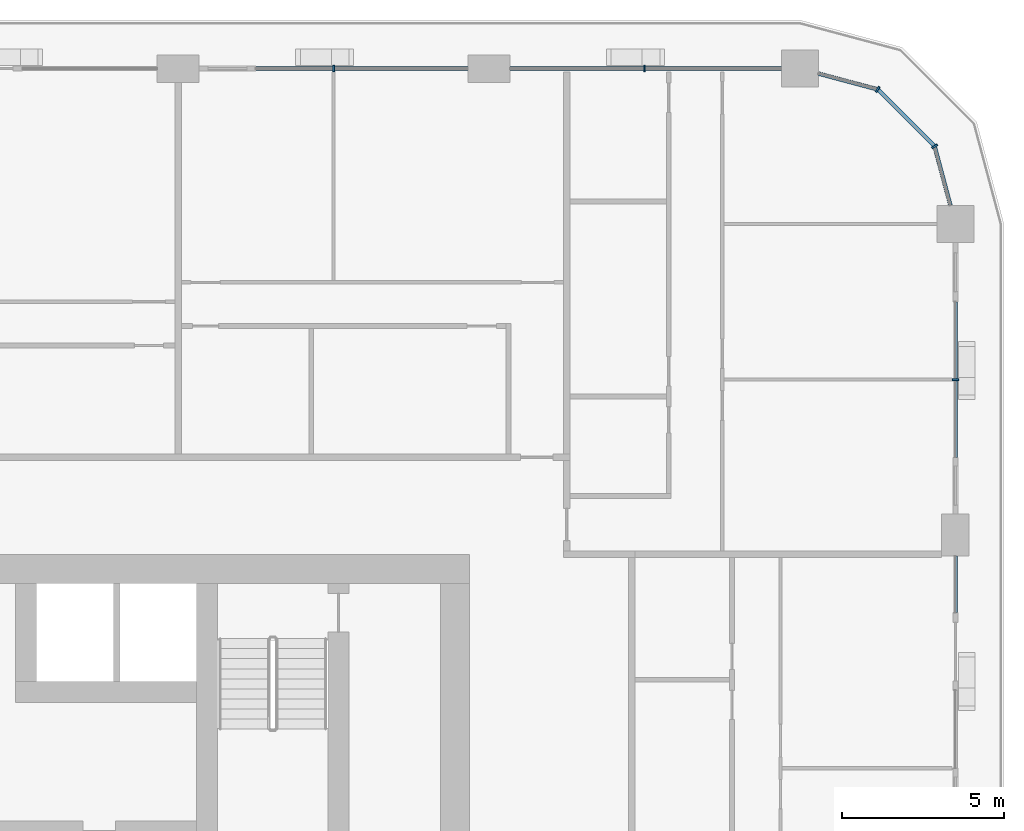
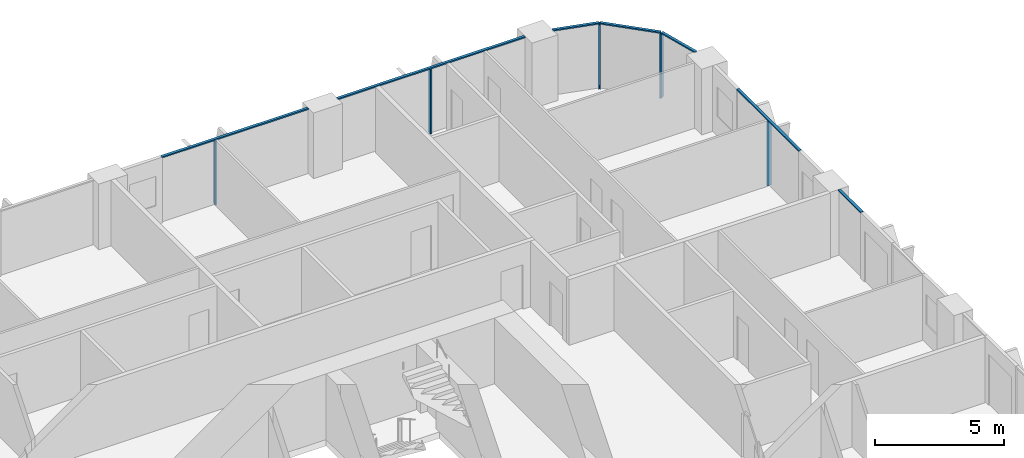
# One storey, part 6 of 21: 12 members, 5 elements without a shape of their own.
"""IFC4 building model written with IfcOpenShell, lengths in metres."""

from ifc_helpers import new_model, si_unit, direction, frame, origin, origin_2d, place, context, subcontext, project, spatial, rectangle, extrude, material, layer, layer_set, material_profile, profile_set, type_object, element, aggregate, save


model = new_model("IFC4")

# Units and contexts
model_context = context("Model", 3, precision=1e-05, world=origin(), true_north=direction((0.0, 1.0)))
body_context = subcontext(model_context, "Body", "Model", "MODEL_VIEW")
ifc_project = project(units=[si_unit("LENGTHUNIT", "METRE"), si_unit("AREAUNIT", "SQUARE_METRE"), si_unit("VOLUMEUNIT", "CUBIC_METRE"), si_unit("PLANEANGLEUNIT", "RADIAN"), si_unit("MASSUNIT", "GRAM", prefix="KILO")], contexts=[model_context])

# Site, building, storey
site_placement = place(None, origin())
site = spatial("IfcSite", under=ifc_project, at=site_placement, CompositionType="ELEMENT")
building_placement = place(site_placement, origin())
building = spatial("IfcBuilding", under=site, at=building_placement, Name="Madar Terraces", CompositionType="ELEMENT")
storey_placement = place(building_placement, frame((0.0, 0.0, 110.199951171875)))
storey = spatial("IfcBuildingStorey", under=building, at=storey_placement, Name="L28", CompositionType="ELEMENT", Elevation=110.199951171875)

# Curtain wall, member
ifc_material_1 = material(Name="Glass, ceramic frit dark grey, with black aluminium frame", Category="aluminium")
ifc_layer = layer(ifc_material_1, 0.199951171875)
ifc_layer_set = layer_set([ifc_layer], Name="Facade curtain wall, fritted glass")
curtain_wall_type = type_object("IfcCurtainWallType", Name="Facade curtain wall, fritted glass", PredefinedType="NOTDEFINED", material=ifc_layer_set)
curtain_wall_1_placement = place(storey_placement, origin())
curtain_wall_1 = element("IfcCurtainWall", 1, at=curtain_wall_1_placement, inside=storey, type_object=curtain_wall_type, Name="Outer skin curtain wall east bay 4", PredefinedType="NOTDEFINED")
ifc_material_2 = material(Name="Aluminium, black anodised", Category="aluminium")
ifc_material_profile_1 = material_profile(ifc_material_2, rectangle(XDim=0.199951171875, YDim=0.06005859375, at=origin_2d()), Name="Facade mullion 60x200")
ifc_profile_set_1 = profile_set([ifc_material_profile_1], Name="Aluminium, black anodised")
member_type_1 = type_object("IfcMemberType", Name="Facade mullion 60x200", PredefinedType="MULLION", material=ifc_profile_set_1)
member_1_placement = place(storey_placement, frame((62.39990234375, 43.199951171875, 0.0), z_axis=(0.0, 0.0, 1.0), x_axis=(-1.0, 0.0, 0.0)))
member_1 = element("IfcMember", 2, at=member_1_placement, type_object=member_type_1, Name="Mullion 1", PredefinedType="MULLION", context=body_context, shape_type="SweptSolid", body=[
    extrude(rectangle(XDim=0.199951171875, YDim=0.06005859375, at=origin_2d()), origin(), (0.0, 0.0, 1.0), 3.0400390625),
])

curtain_wall_2_placement = place(storey_placement, origin())
curtain_wall_2 = element("IfcCurtainWall", 3, at=curtain_wall_2_placement, inside=storey, type_object=curtain_wall_type, Name="Outer skin curtain wall north bay 1", PredefinedType="NOTDEFINED")
member_2_placement = place(storey_placement, frame((52.800048828125, 52.800048828125, 0.0), z_axis=(0.0, 0.0, 1.0), x_axis=(0.0, -1.0, 0.0)))
member_2 = element("IfcMember", 4, at=member_2_placement, type_object=member_type_1, Name="Mullion 1", PredefinedType="MULLION", context=body_context, shape_type="SweptSolid", body=[
    extrude(rectangle(XDim=0.199951171875, YDim=0.06005859375, at=origin_2d()), origin(), (0.0, 0.0, 1.0), 3.0400390625),
])

curtain_wall_3_placement = place(storey_placement, origin())
curtain_wall_3 = element("IfcCurtainWall", 5, at=curtain_wall_3_placement, inside=storey, type_object=curtain_wall_type, Name="Outer skin curtain wall north bay 2", PredefinedType="NOTDEFINED")
member_3_placement = place(storey_placement, frame((43.199951171875, 52.800048828125, 0.0), z_axis=(0.0, 0.0, 1.0), x_axis=(0.0, -1.0, 0.0)))
member_3 = element("IfcMember", 6, at=member_3_placement, type_object=member_type_1, Name="Mullion 1", PredefinedType="MULLION", context=body_context, shape_type="SweptSolid", body=[
    extrude(rectangle(XDim=0.199951171875, YDim=0.06005859375, at=origin_2d()), origin(), (0.0, 0.0, 1.0), 3.0400390625),
])

# Curtain wall, members
curtain_wall_4_placement = place(storey_placement, origin())
curtain_wall_4 = element("IfcCurtainWall", 7, at=curtain_wall_4_placement, inside=storey, type_object=curtain_wall_type, Name="Outer skin curtain wall north-east corner", PredefinedType="NOTDEFINED")
member_4_placement = place(storey_placement, frame((61.7568359375, 50.39990234375, 0.0), z_axis=(0.0, 0.0, 1.0), x_axis=(-0.866025409797, -0.499999989586, 0.0)))
member_4 = element("IfcMember", 8, at=member_4_placement, type_object=member_type_1, Name="Mullion 1", PredefinedType="MULLION", context=body_context, shape_type="SweptSolid", body=[
    extrude(rectangle(XDim=0.199951171875, YDim=0.06005859375, at=origin_2d()), origin(), (0.0, 0.0, 1.0), 3.0400390625),
])
member_5_placement = place(storey_placement, frame((60.0, 52.156982421875, 0.0), z_axis=(0.0, 0.0, 1.0), x_axis=(-0.499999989586, -0.866025409797, 0.0)))
member_5 = element("IfcMember", 9, at=member_5_placement, type_object=member_type_1, Name="Mullion 2", PredefinedType="MULLION", context=body_context, shape_type="SweptSolid", body=[
    extrude(rectangle(XDim=0.199951171875, YDim=0.06005859375, at=origin_2d()), origin(), (0.0, 0.0, 1.0), 3.0400390625),
])

# Curtain wall, member
curtain_wall_5_placement = place(storey_placement, origin())
curtain_wall_5 = element("IfcCurtainWall", 10, at=curtain_wall_5_placement, inside=storey, type_object=curtain_wall_type, Name="Outer skin curtain wall east bay 3", PredefinedType="NOTDEFINED")
ifc_material_3 = material(Name="Aluminium, black anodised", Category="aluminium")
ifc_material_profile_2 = material_profile(ifc_material_3, rectangle(XDim=0.1201171875, YDim=0.06005859375, at=origin_2d()), Name="Facade transom 60x120")
ifc_profile_set_2 = profile_set([ifc_material_profile_2], Name="Aluminium, black anodised")
member_type_2 = type_object("IfcMemberType", Name="Facade transom 60x120", PredefinedType="USERDEFINED", material=ifc_profile_set_2)
member_6_placement = place(storey_placement, frame((62.39990234375, 36.0, 3.070068359375), z_axis=(0.0, 1.0, 0.0), x_axis=(-1.0, 0.0, 0.0)))
member_6 = element("IfcMember", 11, at=member_6_placement, type_object=member_type_2, Name="Transom 2", ObjectType="TRANSOM", PredefinedType="USERDEFINED", context=body_context, shape_type="SweptSolid", body=[
    extrude(rectangle(XDim=0.1201171875, YDim=0.06005859375, at=origin_2d()), origin(), (0.0, 0.0, 1.0), 1.75),
])
aggregate(curtain_wall_5, [member_6])

# Member
member_7_placement = place(storey_placement, frame((62.39990234375, 40.800048828125, 3.070068359375), z_axis=(0.0, 1.0, 0.0), x_axis=(-1.0, 0.0, 0.0)))
member_7 = element("IfcMember", 12, at=member_7_placement, type_object=member_type_2, Name="Transom 1", ObjectType="TRANSOM", PredefinedType="USERDEFINED", context=body_context, shape_type="SweptSolid", body=[
    extrude(rectangle(XDim=0.1201171875, YDim=0.06005859375, at=origin_2d()), origin(), (0.0, 0.0, 1.0), 4.800048828125),
])

aggregate(curtain_wall_1, [member_1, member_7])

member_8_placement = place(storey_placement, frame((57.02490234375, 52.800048828125, 3.070068359375), z_axis=(-1.0, 0.0, 0.0), x_axis=(0.0, -1.0, 0.0)))
member_8 = element("IfcMember", 13, at=member_8_placement, type_object=member_type_2, Name="Transom 1", ObjectType="TRANSOM", PredefinedType="USERDEFINED", context=body_context, shape_type="SweptSolid", body=[
    extrude(rectangle(XDim=0.1201171875, YDim=0.06005859375, at=origin_2d()), origin(), (0.0, 0.0, 1.0), 8.375),
])

aggregate(curtain_wall_2, [member_2, member_8])

member_9_placement = place(storey_placement, frame((47.35009765625, 52.800048828125, 3.070068359375), z_axis=(-1.0, 0.0, 0.0), x_axis=(0.0, -1.0, 0.0)))
member_9 = element("IfcMember", 14, at=member_9_placement, type_object=member_type_2, Name="Transom 1", ObjectType="TRANSOM", PredefinedType="USERDEFINED", context=body_context, shape_type="SweptSolid", body=[
    extrude(rectangle(XDim=0.1201171875, YDim=0.06005859375, at=origin_2d()), origin(), (0.0, 0.0, 1.0), 6.550048828125),
])

aggregate(curtain_wall_3, [member_3, member_9])

member_10_placement = place(storey_placement, frame((62.245849609375, 48.574951171875, 3.070068359375), z_axis=(-0.258782024434, 0.965935745187, 0.0), x_axis=(-0.965935745187, -0.258782024434, 0.0)))
member_10 = element("IfcMember", 15, at=member_10_placement, type_object=member_type_2, Name="Transom 1", ObjectType="TRANSOM", PredefinedType="USERDEFINED", context=body_context, shape_type="SweptSolid", body=[
    extrude(rectangle(XDim=0.1201171875, YDim=0.06005859375, at=origin_2d()), origin(), (0.0, 0.0, 1.0), 1.859375),
])

member_11_placement = place(storey_placement, frame((61.735595703125, 50.421142578125, 3.070068359375), z_axis=(-0.707056433593, 0.707157125196, 0.0), x_axis=(-0.707157125196, -0.707056433593, 0.0)))
member_11 = element("IfcMember", 16, at=member_11_placement, type_object=member_type_2, Name="Transom 2", ObjectType="TRANSOM", PredefinedType="USERDEFINED", context=body_context, shape_type="SweptSolid", body=[
    extrude(rectangle(XDim=0.1201171875, YDim=0.06005859375, at=origin_2d()), origin(), (0.0, 0.0, 1.0), 2.424560546875),
])

member_12_placement = place(storey_placement, frame((59.970947265625, 52.164794921875, 3.070068359375), z_axis=(-0.965926950947, 0.258814847786, 0.0), x_axis=(-0.258814847786, -0.965926950947, 0.0)))
member_12 = element("IfcMember", 17, at=member_12_placement, type_object=member_type_2, Name="Transom 3", ObjectType="TRANSOM", PredefinedType="USERDEFINED", context=body_context, shape_type="SweptSolid", body=[
    extrude(rectangle(XDim=0.1201171875, YDim=0.06005859375, at=origin_2d()), origin(), (0.0, 0.0, 1.0), 1.859130859375),
])

aggregate(curtain_wall_4, [member_4, member_10, member_5, member_11, member_12])

save(model, "model.ifc")
